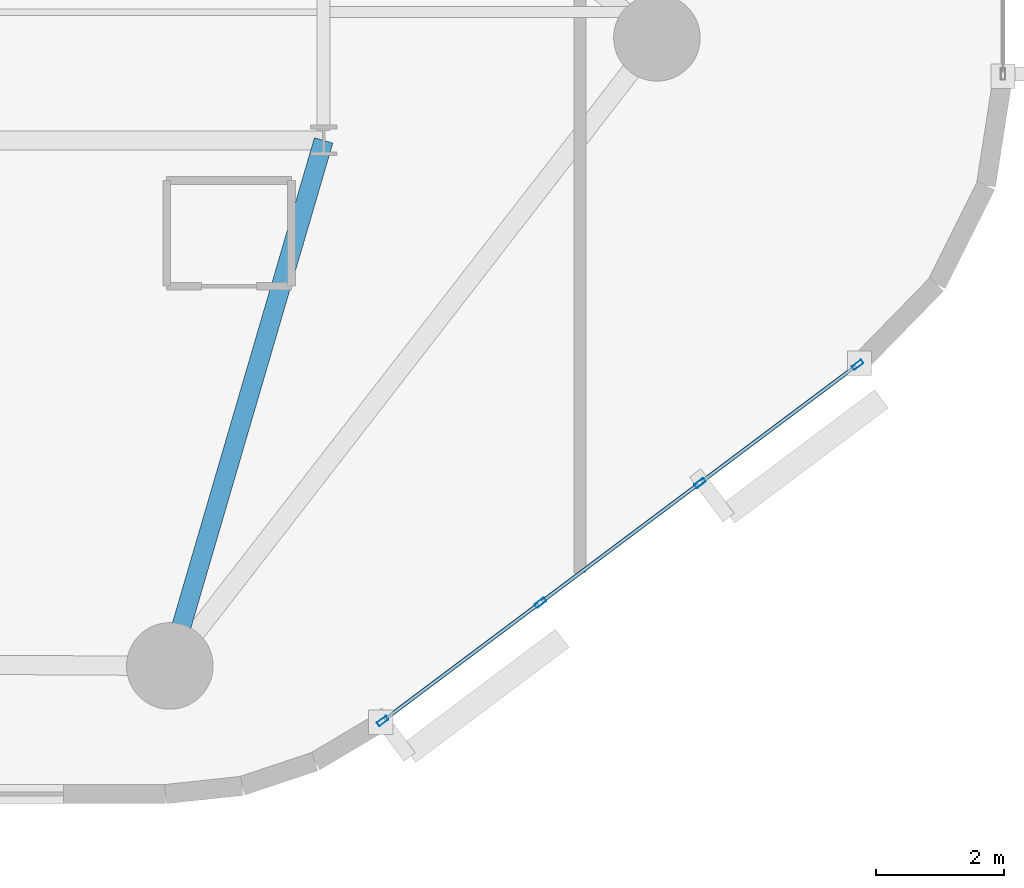
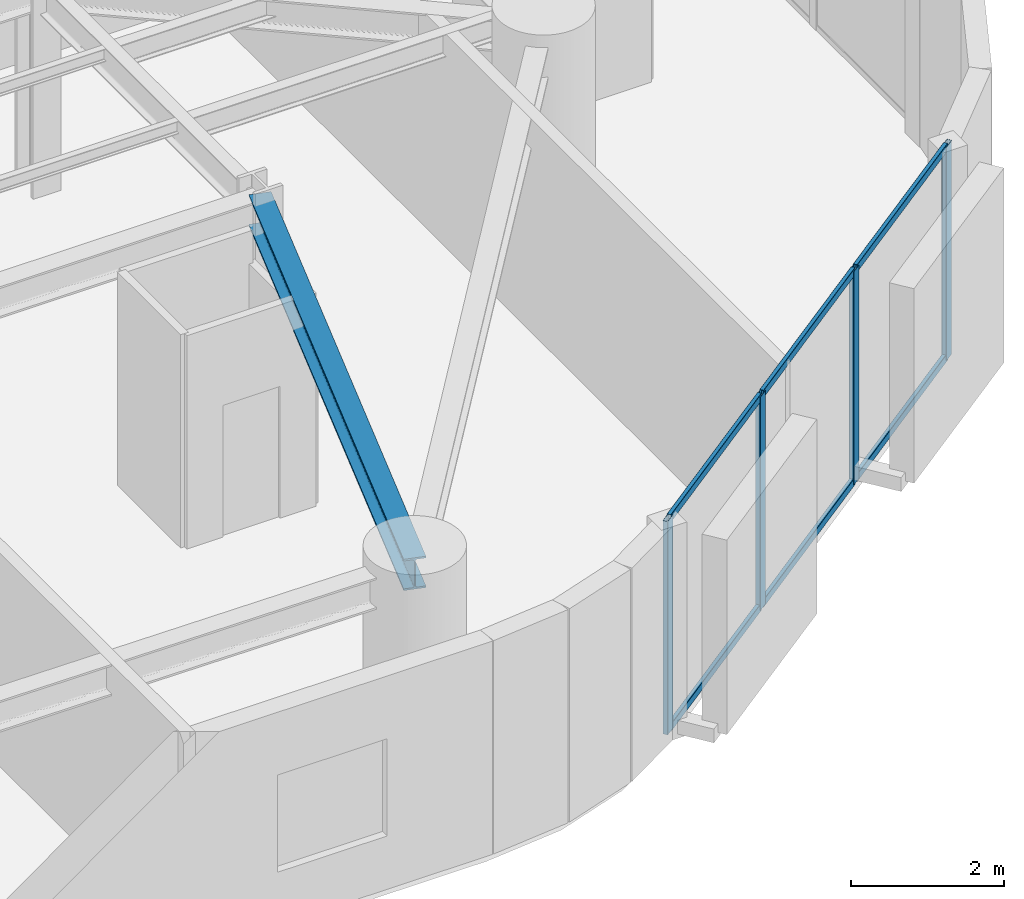
# One storey, part 2 of 16: 10 members, 1 beam, 1 element without a shape of its own.
"""IFC4 building model written with IfcOpenShell, lengths in metres."""

from ifc_helpers import new_model, si_unit, direction, frame, origin, origin_2d, place, context, subcontext, project, spatial, hollow_rectangle, i_section, extrude, material, layer, layer_set, material_profile, profile_set, type_object, element, aggregate, save


model = new_model("IFC4")

# Units and contexts
model_context = context("Model", 3, precision=1e-05, world=origin(), true_north=direction((0.0, 1.0)))
body_context = subcontext(model_context, "Body", "Model", "MODEL_VIEW")
ifc_project = project(units=[si_unit("LENGTHUNIT", "METRE"), si_unit("AREAUNIT", "SQUARE_METRE"), si_unit("VOLUMEUNIT", "CUBIC_METRE"), si_unit("PLANEANGLEUNIT", "RADIAN"), si_unit("MASSUNIT", "GRAM", prefix="KILO")], contexts=[model_context])

# Site, building, storey
site_placement = place(None, origin())
site = spatial("IfcSite", under=ifc_project, at=site_placement, CompositionType="ELEMENT")
building_placement = place(site_placement, origin())
building = spatial("IfcBuilding", under=site, at=building_placement, Name="An Khanh Terracotta Commons", CompositionType="ELEMENT")
storey_placement = place(building_placement, frame((0.0, 0.0, 107.89990234375)))
storey = spatial("IfcBuildingStorey", under=building, at=storey_placement, Name="L28", CompositionType="ELEMENT", Elevation=107.89990234375)

# Beam
ifc_material_1 = material(Name="Steel S355J2", Category="steel")
ifc_material_profile_1 = material_profile(ifc_material_1, i_section(OverallWidth=0.300048828125, OverallDepth=0.5, WebThickness=0.014404296875, FlangeThickness=0.028076171875, FilletRadius=0.027099609375, at=origin_2d()), Name="HEB500")
ifc_profile_set_1 = profile_set([ifc_material_profile_1], Name="Steel S355J2")
beam_type = type_object("IfcBeamType", Name="BM-HEB500", PredefinedType="BEAM", material=ifc_profile_set_1)
beam_placement = place(storey_placement, frame((44.39990234375, 6.199951171875, 3.150146484375), z_axis=(0.280916085823, 0.959732333896, 0.0), x_axis=(-0.959732333896, 0.280916085823, 0.0)))
element("IfcBeam", 1, at=beam_placement, inside=storey, type_object=beam_type, Name="L28 Mega-Column Tie Girder 2", PredefinedType="BEAM", context=body_context, shape_type="SweptSolid", body=[
    extrude(i_section(OverallWidth=0.300048828125, OverallDepth=0.5, WebThickness=0.014404296875, FlangeThickness=0.028076171875, FilletRadius=0.027099609375, at=origin_2d()), origin(), (0.0, 0.0, 1.0), 8.5439453125),
])

# Curtain wall, members
ifc_material_2 = material(Name="Anodised Aluminium 6063-T6", Category="aluminium")
ifc_layer = layer(ifc_material_2, 0.199951171875, Name="Anodised Aluminium 6063-T6")
ifc_layer_set = layer_set([ifc_layer], Name="Anodised Aluminium 6063-T6")
curtain_wall_type = type_object("IfcCurtainWallType", Name="CW-SYS-02", PredefinedType="USERDEFINED", material=ifc_layer_set)
curtain_wall_placement = place(storey_placement, origin())
curtain_wall = element("IfcCurtainWall", 2, at=curtain_wall_placement, inside=storey, type_object=curtain_wall_type, Name="L28 CW-02 Unitised Curtain Wall CW-L28-08", ObjectType="UNITISED CURTAIN WALL", PredefinedType="USERDEFINED")
ifc_material_profile_2 = material_profile(ifc_material_2, hollow_rectangle(XDim=0.070068359375, YDim=0.179931640625, WallThickness=0.00390625, InnerFilletRadius=0.00390625, OuterFilletRadius=0.008056640625, at=origin_2d()), Name="RHS180x70x4")
ifc_profile_set_2 = profile_set([ifc_material_profile_2], Name="Anodised Aluminium 6063-T6")
member_type_1 = type_object("IfcMemberType", Name="CWM-RHS180x70x4", PredefinedType="MULLION", material=ifc_profile_set_2)
member_1_placement = place(storey_placement, frame((47.720947265625, 5.341064453125, 0.0), z_axis=(0.0, 0.0, 1.0), x_axis=(-0.599982857492, 0.800012856594, 0.0)))
member_1 = element("IfcMember", 3, at=member_1_placement, type_object=member_type_1, Name="CW-02 mullion 1", PredefinedType="MULLION", context=body_context, shape_type="SweptSolid", body=[
    extrude(hollow_rectangle(XDim=0.070068359375, YDim=0.179931640625, WallThickness=0.00390625, InnerFilletRadius=0.00390625, OuterFilletRadius=0.008056640625, at=origin_2d()), origin(), (0.0, 0.0, 1.0), 3.400146484375),
])
member_2_placement = place(storey_placement, frame((50.181884765625, 7.186767578125, 0.0), z_axis=(0.0, 0.0, 1.0), x_axis=(-0.599982857492, 0.800012856594, 0.0)))
member_2 = element("IfcMember", 4, at=member_2_placement, type_object=member_type_1, Name="CW-02 mullion 2", PredefinedType="MULLION", context=body_context, shape_type="SweptSolid", body=[
    extrude(hollow_rectangle(XDim=0.070068359375, YDim=0.179931640625, WallThickness=0.00390625, InnerFilletRadius=0.00390625, OuterFilletRadius=0.008056640625, at=origin_2d()), origin(), (0.0, 0.0, 1.0), 3.400146484375),
])
member_3_placement = place(storey_placement, frame((52.6708984375, 9.05322265625, 0.0), z_axis=(0.0, 0.0, 1.0), x_axis=(-0.599982857492, 0.800012856594, 0.0)))
member_3 = element("IfcMember", 5, at=member_3_placement, type_object=member_type_1, Name="CW-02 mullion 3", PredefinedType="MULLION", context=body_context, shape_type="SweptSolid", body=[
    extrude(hollow_rectangle(XDim=0.070068359375, YDim=0.179931640625, WallThickness=0.00390625, InnerFilletRadius=0.00390625, OuterFilletRadius=0.008056640625, at=origin_2d()), origin(), (0.0, 0.0, 1.0), 3.400146484375),
])
member_4_placement = place(storey_placement, frame((55.132080078125, 10.89892578125, 0.0), z_axis=(0.0, 0.0, 1.0), x_axis=(-0.599982857492, 0.800012856594, 0.0)))
member_4 = element("IfcMember", 6, at=member_4_placement, type_object=member_type_1, Name="CW-02 mullion 4", PredefinedType="MULLION", context=body_context, shape_type="SweptSolid", body=[
    extrude(hollow_rectangle(XDim=0.070068359375, YDim=0.179931640625, WallThickness=0.00390625, InnerFilletRadius=0.00390625, OuterFilletRadius=0.008056640625, at=origin_2d()), origin(), (0.0, 0.0, 1.0), 3.400146484375),
])
ifc_material_profile_3 = material_profile(ifc_material_2, hollow_rectangle(XDim=0.06005859375, YDim=0.1201171875, WallThickness=0.003662109375, InnerFilletRadius=0.003662109375, OuterFilletRadius=0.007080078125, at=origin_2d()), Name="RHS120x60x3.6")
ifc_profile_set_3 = profile_set([ifc_material_profile_3], Name="Anodised Aluminium 6063-T6")
member_type_2 = type_object("IfcMemberType", Name="CWT-RHS120x60x3.6", PredefinedType="USERDEFINED", material=ifc_profile_set_3)
member_5_placement = place(storey_placement, frame((47.7490234375, 5.362060546875, 0.030029296875), z_axis=(0.800009745217, 0.599987006158, 0.0), x_axis=(-0.599987006158, 0.800009745217, 0.0)))
member_5 = element("IfcMember", 7, at=member_5_placement, type_object=member_type_2, Name="CW-02 transom 1.1", ObjectType="TRANSOM", PredefinedType="USERDEFINED", context=body_context, shape_type="SweptSolid", body=[
    extrude(hollow_rectangle(XDim=0.06005859375, YDim=0.1201171875, WallThickness=0.003662109375, InnerFilletRadius=0.003662109375, OuterFilletRadius=0.007080078125, at=origin_2d()), origin(), (0.0, 0.0, 1.0), 3.00634765625),
])
member_6_placement = place(storey_placement, frame((47.7490234375, 5.362060546875, 3.3701171875), z_axis=(0.800009745217, 0.599987006158, 0.0), x_axis=(-0.599987006158, 0.800009745217, 0.0)))
member_6 = element("IfcMember", 8, at=member_6_placement, type_object=member_type_2, Name="CW-02 transom 1.2", ObjectType="TRANSOM", PredefinedType="USERDEFINED", context=body_context, shape_type="SweptSolid", body=[
    extrude(hollow_rectangle(XDim=0.06005859375, YDim=0.1201171875, WallThickness=0.003662109375, InnerFilletRadius=0.003662109375, OuterFilletRadius=0.007080078125, at=origin_2d()), origin(), (0.0, 0.0, 1.0), 3.00634765625),
])
member_7_placement = place(storey_placement, frame((50.2099609375, 7.207763671875, 0.030029296875), z_axis=(0.800057796972, 0.599922929638, 0.0), x_axis=(-0.599922929638, 0.800057796972, 0.0)))
member_7 = element("IfcMember", 9, at=member_7_placement, type_object=member_type_2, Name="CW-02 transom 2.1", ObjectType="TRANSOM", PredefinedType="USERDEFINED", context=body_context, shape_type="SweptSolid", body=[
    extrude(hollow_rectangle(XDim=0.06005859375, YDim=0.1201171875, WallThickness=0.003662109375, InnerFilletRadius=0.003662109375, OuterFilletRadius=0.007080078125, at=origin_2d()), origin(), (0.0, 0.0, 1.0), 3.041259765625),
])
member_8_placement = place(storey_placement, frame((50.2099609375, 7.207763671875, 3.3701171875), z_axis=(0.800057796972, 0.599922929638, 0.0), x_axis=(-0.599922929638, 0.800057796972, 0.0)))
member_8 = element("IfcMember", 10, at=member_8_placement, type_object=member_type_2, Name="CW-02 transom 2.2", ObjectType="TRANSOM", PredefinedType="USERDEFINED", context=body_context, shape_type="SweptSolid", body=[
    extrude(hollow_rectangle(XDim=0.06005859375, YDim=0.1201171875, WallThickness=0.003662109375, InnerFilletRadius=0.003662109375, OuterFilletRadius=0.007080078125, at=origin_2d()), origin(), (0.0, 0.0, 1.0), 3.041259765625),
])
member_9_placement = place(storey_placement, frame((52.698974609375, 9.07421875, 0.030029296875), z_axis=(0.800009745217, 0.599987006158, 0.0), x_axis=(-0.599987006158, 0.800009745217, 0.0)))
member_9 = element("IfcMember", 11, at=member_9_placement, type_object=member_type_2, Name="CW-02 transom 3.1", ObjectType="TRANSOM", PredefinedType="USERDEFINED", context=body_context, shape_type="SweptSolid", body=[
    extrude(hollow_rectangle(XDim=0.06005859375, YDim=0.1201171875, WallThickness=0.003662109375, InnerFilletRadius=0.003662109375, OuterFilletRadius=0.007080078125, at=origin_2d()), origin(), (0.0, 0.0, 1.0), 3.00634765625),
])
member_10_placement = place(storey_placement, frame((52.698974609375, 9.07421875, 3.3701171875), z_axis=(0.800009745217, 0.599987006158, 0.0), x_axis=(-0.599987006158, 0.800009745217, 0.0)))
member_10 = element("IfcMember", 12, at=member_10_placement, type_object=member_type_2, Name="CW-02 transom 3.2", ObjectType="TRANSOM", PredefinedType="USERDEFINED", context=body_context, shape_type="SweptSolid", body=[
    extrude(hollow_rectangle(XDim=0.06005859375, YDim=0.1201171875, WallThickness=0.003662109375, InnerFilletRadius=0.003662109375, OuterFilletRadius=0.007080078125, at=origin_2d()), origin(), (0.0, 0.0, 1.0), 3.00634765625),
])
aggregate(curtain_wall, [member_1, member_2, member_3, member_4, member_5, member_6, member_7, member_8, member_9, member_10])

save(model, "model.ifc")
